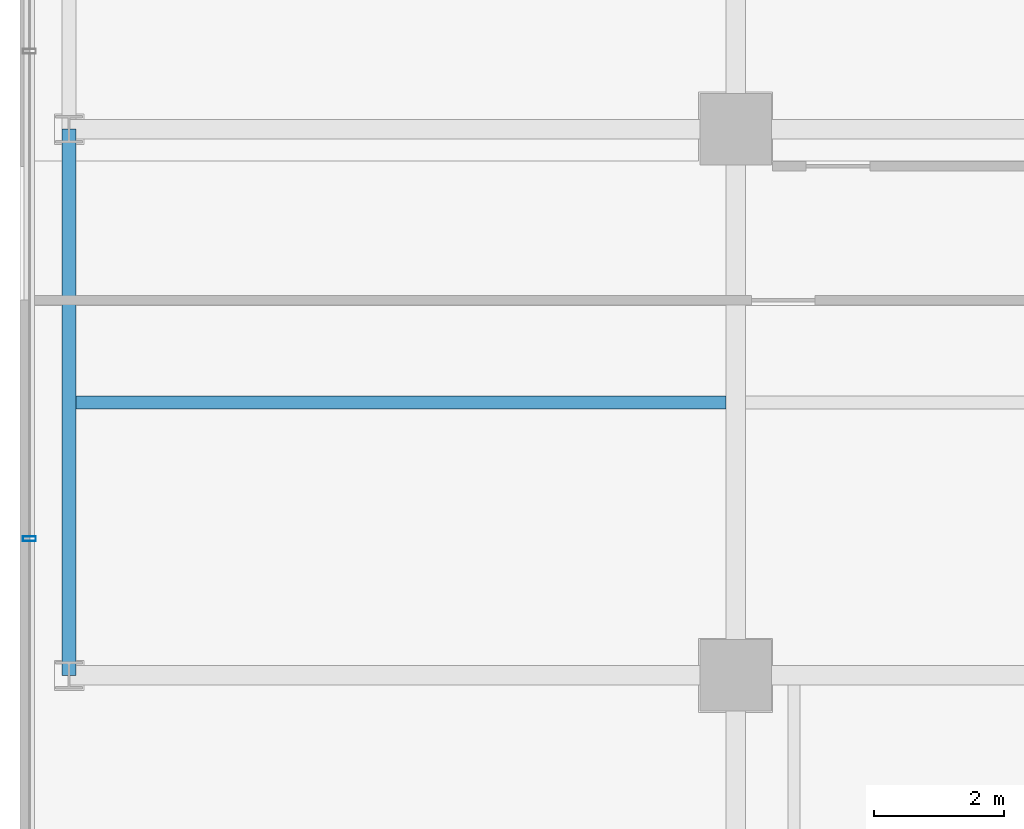
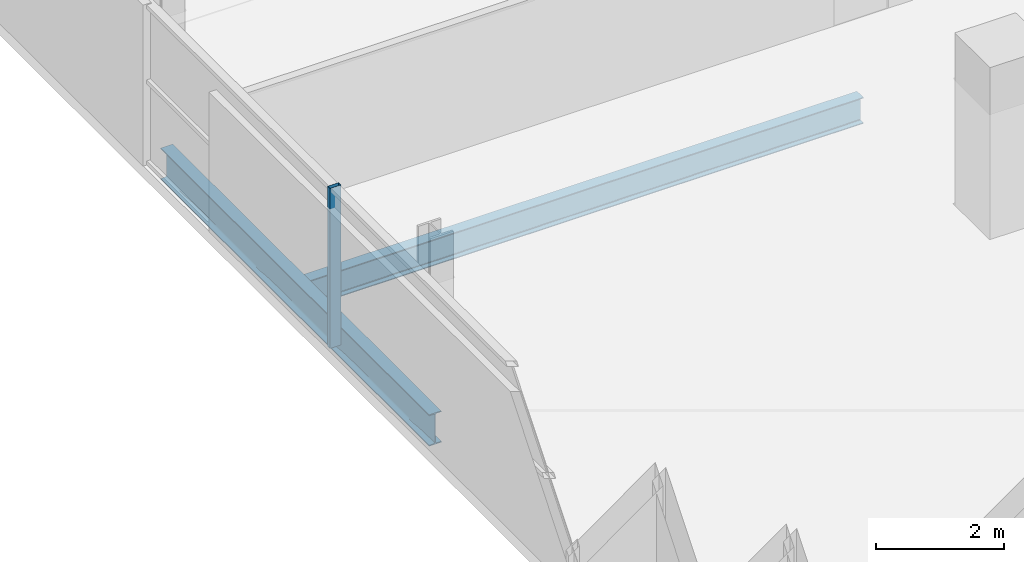
# One storey, part 4 of 30: 2 beams, 1 member, 1 element without a shape of its own.
"""IFC4 building model written with IfcOpenShell, lengths in metres."""

from ifc_helpers import new_model, si_unit, direction, frame, origin, origin_2d, place, context, subcontext, project, spatial, hollow_rectangle, i_section, extrude, source, transform, mapped, material, layer, layer_set, material_profile, profile_set, type_object, element, aggregate, save


model = new_model("IFC4")

# Units and contexts
model_context = context("Model", 3, precision=1e-05, world=origin(), true_north=direction((0.0, 1.0)))
body_context = subcontext(model_context, "Body", "Model", "MODEL_VIEW")
ifc_project = project(units=[si_unit("LENGTHUNIT", "METRE"), si_unit("AREAUNIT", "SQUARE_METRE"), si_unit("VOLUMEUNIT", "CUBIC_METRE"), si_unit("PLANEANGLEUNIT", "RADIAN"), si_unit("MASSUNIT", "GRAM", prefix="KILO")], contexts=[model_context])

# Site, building, storey
site_placement = place(None, origin())
site = spatial("IfcSite", under=ifc_project, at=site_placement, CompositionType="ELEMENT")
building_placement = place(site_placement, origin())
building = spatial("IfcBuilding", under=site, at=building_placement, Name="Zarnakvel Exchange Tower", CompositionType="ELEMENT")
storey_placement = place(building_placement, frame((0.0, 0.0, 30.699951171875)))
storey = spatial("IfcBuildingStorey", under=building, at=storey_placement, Name="L07", CompositionType="ELEMENT", Elevation=30.699951171875)

# Beams
ifc_material_1 = material(Name="Steel S355", Category="steel")
ifc_material_profile_1 = material_profile(ifc_material_1, i_section(OverallWidth=0.199951171875, OverallDepth=0.5, WebThickness=0.01025390625, FlangeThickness=0.01611328125, FilletRadius=0.02099609375, at=origin_2d()))
ifc_profile_set_1 = profile_set([ifc_material_profile_1], Name="Steel S355")
beam_type_1 = type_object("IfcBeamType", Name="B-04", PredefinedType="JOIST", material=ifc_profile_set_1)
beam_1_placement = place(storey_placement, frame((-31.85009765625, -5.39990234375, -0.474853515625), z_axis=(1.0, 0.0, 0.0), x_axis=(0.0, 1.0, 0.0)))
element("IfcBeam", 1, at=beam_1_placement, inside=storey, type_object=beam_type_1, Name="L07 Composite Floor Secondary Joist", PredefinedType="JOIST", context=body_context, shape_type="SweptSolid", body=[
    extrude(i_section(OverallWidth=0.199951171875, OverallDepth=0.5, WebThickness=0.01025390625, FlangeThickness=0.01611328125, FilletRadius=0.02099609375, at=origin_2d()), origin(), (0.0, 0.0, 1.0), 10.10009765625),
])
ifc_material_profile_2 = material_profile(ifc_material_1, i_section(OverallWidth=0.219970703125, OverallDepth=0.60009765625, WebThickness=0.011962890625, FlangeThickness=0.01904296875, FilletRadius=0.02392578125, at=origin_2d()))
ifc_profile_set_2 = profile_set([ifc_material_profile_2], Name="Steel S355")
beam_type_2 = type_object("IfcBeamType", Name="SP-01", PredefinedType="SPANDREL", material=ifc_profile_set_2)
beam_2_placement = place(storey_placement, frame((-31.85009765625, -9.60009765625, -0.52490234375), z_axis=(0.0, 1.0, 0.0), x_axis=(-1.0, 0.0, 0.0)))
element("IfcBeam", 2, at=beam_2_placement, inside=storey, type_object=beam_type_2, Name="L07 Tower N-S Frame Beam", PredefinedType="SPANDREL", context=body_context, shape_type="SweptSolid", body=[
    extrude(i_section(OverallWidth=0.219970703125, OverallDepth=0.60009765625, WebThickness=0.011962890625, FlangeThickness=0.01904296875, FilletRadius=0.02392578125, at=origin_2d()), origin(), (0.0, 0.0, 1.0), 8.400146484375),
])

# Curtain wall, member
ifc_material_2 = material(Name="Architectural Bronze Anodised Aluminium", Category="aluminium")
ifc_layer = layer(ifc_material_2, 0.199951171875)
ifc_layer_set = layer_set([ifc_layer], Name="Architectural Bronze Anodised Aluminium")
curtain_wall_type = type_object("IfcCurtainWallType", Name="CW-04", PredefinedType="NOTDEFINED", material=ifc_layer_set)
curtain_wall_placement = place(storey_placement, origin())
curtain_wall = element("IfcCurtainWall", 3, at=curtain_wall_placement, inside=storey, type_object=curtain_wall_type, Name="L07 Curtain Wall CW-L07-W1 (CW-04)", PredefinedType="NOTDEFINED")
ifc_material_profile_3 = material_profile(ifc_material_2, hollow_rectangle(XDim=0.199951171875, YDim=0.074951171875, WallThickness=0.0048828125, at=origin_2d()))
ifc_profile_set_3 = profile_set([ifc_material_profile_3], Name="Architectural Bronze Anodised Aluminium")
member_type = type_object("IfcMemberType", Name="CWM-04", PredefinedType="MULLION", material=ifc_profile_set_3)
shared_shape = source(origin(), body_context, "Body", "SweptSolid", [
    extrude(hollow_rectangle(XDim=0.199951171875, YDim=0.074951171875, WallThickness=0.0048828125, at=origin_2d()), origin(), (0.0, 0.0, 1.0), 3.054931640625),
])
member_placement = place(storey_placement, frame((-32.4599609375, -7.5, 0.0), z_axis=(0.0, 0.0, 1.0), x_axis=(-1.0, 0.0, 0.0)))
member = element("IfcMember", 4, at=member_placement, type_object=member_type, Name="CW-04 mullion 2", PredefinedType="MULLION", context=body_context, shape_type="MappedRepresentation", body=[
    mapped(shared_shape, transform((0.0, 0.0, 0.0), x_axis=(1.0, 0.0, 0.0), y_axis=(0.0, 1.0, 0.0), z_axis=(0.0, 0.0, 1.0), scale=1.0)),
])
aggregate(curtain_wall, [member])

save(model, "model.ifc")
